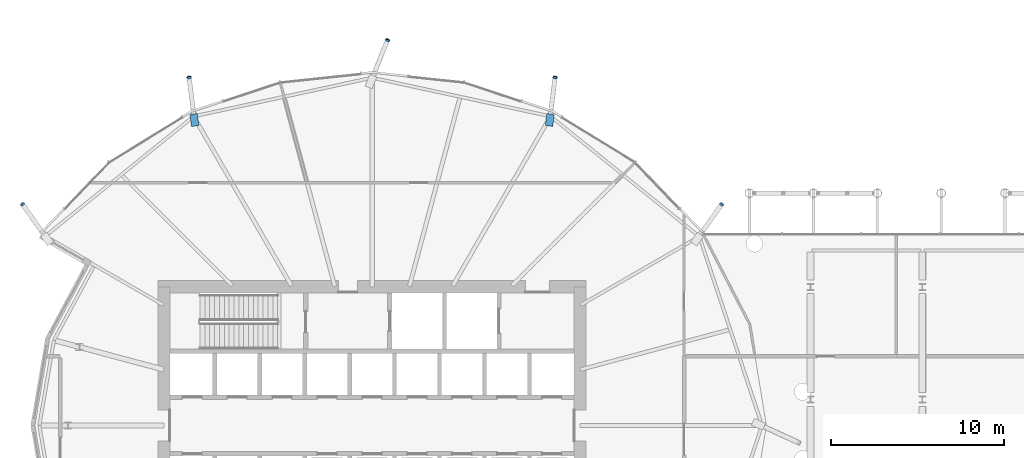
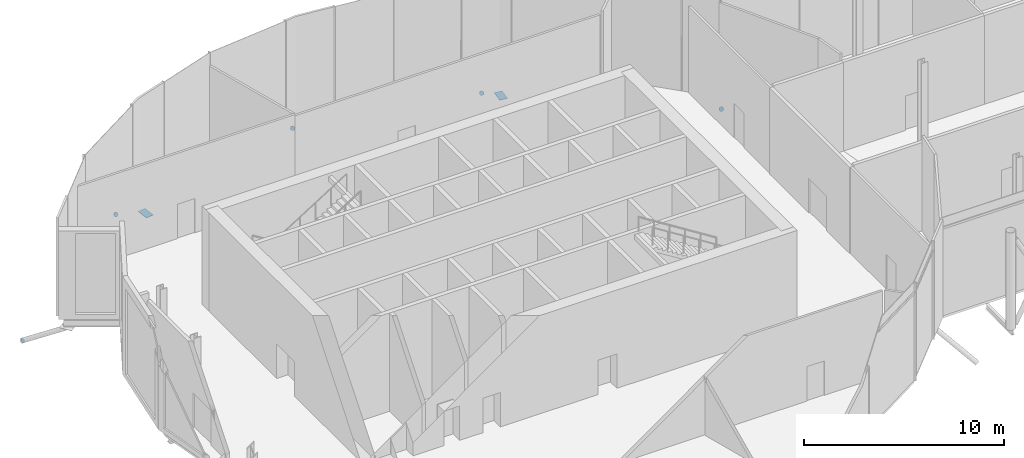
# One storey, part 29 of 38: 7 discrete accessories.
"""IFC4 building model written with IfcOpenShell, lengths in metres."""

import ifcopenshell
import ifcopenshell.guid

model = None  # the IFC model being written
_history = None  # IfcOwnerHistory: only IFC2X3 demands one
_inside = {}  # id of a spatial element -> (the spatial element, [elements in it])
_under = {}  # id of a project, library or spatial element -> (it, [spatial elements below it])
_declared = {}  # id of a project -> (the project, [libraries it declares])
_typed = {}  # id of a type object -> (the type object, [elements of that type])
_made_of = {}  # id of a material, layer set ... -> (it, [elements and type objects made of it])


def new_model(schema):
    """Start an empty IFC model of exactly this schema.

    Asked for "IFC4X3", IfcOpenShell would pick the latest addendum, in which some entities
    have other attributes; the version numbers below select the first issue.
    IFC2X3 requires an IfcOwnerHistory on every rooted entity: one is made here for all.
    """
    global model, _history
    if schema == "IFC4X3":
        model = ifcopenshell.file(schema_version=(4, 3, 0, 0))
    else:
        model = ifcopenshell.file(schema=schema)
    _inside.clear()
    _under.clear()
    _declared.clear()
    _typed.clear()
    _made_of.clear()
    _history = None
    if model.schema == "IFC2X3":
        org = make("IfcOrganization", Name="unknown")
        user = make(
            "IfcPersonAndOrganization",
            ThePerson=make("IfcPerson", FamilyName="unknown"),
            TheOrganization=org,
        )
        app = make(
            "IfcApplication",
            ApplicationDeveloper=org,
            Version="unknown",
            ApplicationFullName="unknown",
            ApplicationIdentifier="unknown",
        )
        _history = make(
            "IfcOwnerHistory",
            OwningUser=user,
            OwningApplication=app,
            ChangeAction="ADDED",
            CreationDate=0,
        )
    return model


def make(cls, **values):
    """One entity of the class cls with the attributes given. An attribute that is None is left unset."""
    return model.create_entity(
        cls, **{name: value for name, value in values.items() if value is not None}
    )


def rooted(cls, **values):
    """An entity with a GlobalId (a new one), such as an element, a storey or a relation."""
    return make(cls, GlobalId=ifcopenshell.guid.new(), OwnerHistory=_history, **values)


def si_unit(unit_type, name, prefix=None):
    """IfcSIUnit, for example si_unit("LENGTHUNIT", "METRE", prefix="MILLI")."""
    return make("IfcSIUnit", UnitType=unit_type, Prefix=prefix, Name=name)


def assignment(units):
    """IfcUnitAssignment: the units of a project."""
    return None if units is None else make("IfcUnitAssignment", Units=units)


def point(xyz):
    """IfcCartesianPoint."""
    return None if xyz is None else make("IfcCartesianPoint", Coordinates=xyz)


def direction(xyz):
    """IfcDirection."""
    return None if xyz is None else make("IfcDirection", DirectionRatios=xyz)


def frame(location, z_axis=None, x_axis=None):
    """IfcAxis2Placement3D, a coordinate frame: its origin and axes. An axis left out is left unset."""
    return make(
        "IfcAxis2Placement3D",
        Location=point(location),
        Axis=direction(z_axis),
        RefDirection=direction(x_axis),
    )


def frame_2d(location, x_axis=None):
    """IfcAxis2Placement2D, a coordinate frame in the plane: its origin and x axis."""
    return make(
        "IfcAxis2Placement2D", Location=point(location), RefDirection=direction(x_axis)
    )


def origin():
    """The frame at (0, 0, 0) with its axes left unset."""
    return frame((0.0, 0.0, 0.0))


def origin_2d():
    """The frame at (0, 0) in the plane with its x axis left unset."""
    return frame_2d((0.0, 0.0))


def place(relative_to, where):
    """IfcLocalPlacement: puts the frame where relative to a parent placement (None: the world)."""
    return make(
        "IfcLocalPlacement", PlacementRelTo=relative_to, RelativePlacement=where
    )


def context(
    kind, dimensions, precision=None, world=None, true_north=None, identifier=None
):
    """IfcGeometricRepresentationContext, for example the 3D "Model" context."""
    return make(
        "IfcGeometricRepresentationContext",
        ContextIdentifier=identifier,
        ContextType=kind,
        CoordinateSpaceDimension=dimensions,
        Precision=precision,
        WorldCoordinateSystem=world,
        TrueNorth=true_north,
    )


def subcontext(parent, identifier, kind, view, scale=None):
    """IfcGeometricRepresentationSubContext, for example "Body" below "Model"."""
    return make(
        "IfcGeometricRepresentationSubContext",
        ContextIdentifier=identifier,
        ContextType=kind,
        ParentContext=parent,
        TargetScale=scale,
        TargetView=view,
    )


def project(units=None, contexts=None):
    """IfcProject with its units and contexts."""
    return rooted(
        "IfcProject",
        Name="project",
        RepresentationContexts=contexts,
        UnitsInContext=assignment(units),
    )


def spatial(cls, under=None, at=None, **own):
    """A site, building, storey or space (cls), placed at a placement, below another one or the project."""
    s = rooted(cls, ObjectPlacement=at, **own)
    if under is not None:
        _under.setdefault(under.id(), (under, []))[1].append(s)
    return s


def polyline(points):
    """IfcPolyline through the points."""
    return make("IfcPolyline", Points=[point(p) for p in points])


def profile(cls, at=None, kind="AREA", **sizes):
    """A parametric profile (cls). Its sizes go by their IFC names, for example OverallWidth=200.0."""
    return make(cls, ProfileType=kind, Position=at, **sizes)


def rectangle(**sizes):
    """IfcRectangleProfileDef."""
    return profile("IfcRectangleProfileDef", **sizes)


def circle(**sizes):
    """IfcCircleProfileDef."""
    return profile("IfcCircleProfileDef", **sizes)


def outline(outer, holes=None, kind="AREA"):
    """IfcArbitraryClosedProfileDef: a profile drawn as a closed curve; with holes, ...WithVoids."""
    if holes is None:
        return make("IfcArbitraryClosedProfileDef", ProfileType=kind, OuterCurve=outer)
    return make(
        "IfcArbitraryProfileDefWithVoids",
        ProfileType=kind,
        OuterCurve=outer,
        InnerCurves=holes,
    )


def extrude(swept, where, along, depth):
    """IfcExtrudedAreaSolid: the profile swept, set in the frame where, extruded along a direction by depth."""
    return make(
        "IfcExtrudedAreaSolid",
        SweptArea=swept,
        Position=where,
        ExtrudedDirection=direction(along),
        Depth=depth,
    )


def shape(context_of_items, identifier, shape_type, items):
    """IfcShapeRepresentation: the items that make up one representation, for example the "Body"."""
    return make(
        "IfcShapeRepresentation",
        ContextOfItems=context_of_items,
        RepresentationIdentifier=identifier,
        RepresentationType=shape_type,
        Items=items,
    )


def material(Name=None, Category=None):
    """IfcMaterial."""
    return make("IfcMaterial", Name=Name, Category=Category)


def material_profile(
    of_material, cross_section, Name=None, Category=None, Priority=None
):
    """IfcMaterialProfile: a cross section and its material."""
    return make(
        "IfcMaterialProfile",
        Name=Name,
        Material=of_material,
        Profile=cross_section,
        Priority=Priority,
        Category=Category,
    )


def profile_set(profiles, Name=None, composite=None):
    """IfcMaterialProfileSet."""
    return make(
        "IfcMaterialProfileSet",
        Name=Name,
        MaterialProfiles=profiles,
        CompositeProfile=composite,
    )


def made_of(thing, what):
    """Note that an element or type object is made of a material, layer set ...; save() writes the relation."""
    if what is not None:
        _made_of.setdefault(what.id(), (what, []))[1].append(thing)
    return thing


def type_object(cls, material=None, **own):
    """A type object (cls), such as IfcWallType, which elements share."""
    return made_of(rooted(cls, **own), material)


def element(
    cls,
    number,
    at=None,
    inside=None,
    cuts=None,
    type_object=None,
    material=None,
    context=None,
    identifier="Body",
    shape_type=None,
    held_by="IfcProductDefinitionShape",
    body=None,
    shapes=None,
    **own,
):
    """One element of the class cls, such as IfcWall. Its Tag is "e" and its number.

    at: its placement. inside: the storey or other place that contains it. cuts: it is an
    opening in that element (IfcRelVoidsElement). A single representation is given by context,
    identifier, shape_type and body (its items); several are given by shapes. held_by: the class
    of the entity that holds the representations. save() writes the other relations.
    """
    e = rooted(cls, Tag="e%d" % number, ObjectPlacement=at, **own)
    if body is not None:
        shapes = [shape(context, identifier, shape_type, body)]
    if shapes is not None:
        e.Representation = make(held_by, Representations=shapes)
    if inside is not None:
        _inside.setdefault(inside.id(), (inside, []))[1].append(e)
    if cuts is not None:
        rooted(
            "IfcRelVoidsElement", RelatingBuildingElement=cuts, RelatedOpeningElement=e
        )
    if type_object is not None:
        _typed.setdefault(type_object.id(), (type_object, []))[1].append(e)
    return made_of(e, material)


def aggregate(whole, parts):
    """IfcRelAggregates: a whole, such as a stair, and the parts it consists of."""
    return rooted("IfcRelAggregates", RelatingObject=whole, RelatedObjects=parts)


def save(model, path):
    """Write the relations noted so far, then the file.

    IfcRelAggregates (storeys below a building ...), IfcRelContainedInSpatialStructure (elements
    in a storey), IfcRelDefinesByType, IfcRelAssociatesMaterial and IfcRelDeclares: one each for
    every whole, place, type object, material and project.
    """
    for whole, parts in _under.values():
        aggregate(whole, parts)
    for where, things in _inside.values():
        rooted(
            "IfcRelContainedInSpatialStructure",
            RelatedElements=things,
            RelatingStructure=where,
        )
    for kind, things in _typed.values():
        rooted("IfcRelDefinesByType", RelatedObjects=things, RelatingType=kind)
    for what, things in _made_of.values():
        rooted("IfcRelAssociatesMaterial", RelatedObjects=things, RelatingMaterial=what)
    for by, libraries in _declared.values():
        rooted("IfcRelDeclares", RelatingContext=by, RelatedDefinitions=libraries)
    model.write(path)


model = new_model("IFC4")

# Units and contexts
model_context = context("Model", 3, precision=1e-05, world=origin(), true_north=direction((0.0, 1.0)))
body_context = subcontext(model_context, "Body", "Model", "MODEL_VIEW")
ifc_project = project(units=[si_unit("LENGTHUNIT", "METRE"), si_unit("AREAUNIT", "SQUARE_METRE"), si_unit("VOLUMEUNIT", "CUBIC_METRE"), si_unit("PLANEANGLEUNIT", "RADIAN"), si_unit("MASSUNIT", "GRAM", prefix="KILO")], contexts=[model_context])

# Site, building, storey
site_placement = place(None, origin())
site = spatial("IfcSite", under=ifc_project, at=site_placement, CompositionType="ELEMENT")
building_placement = place(site_placement, origin())
building = spatial("IfcBuilding", under=site, at=building_placement, Name="Rimbun Link Towers", CompositionType="ELEMENT")
storey_placement = place(building_placement, frame((0.0, 0.0, 133.199951171875)))
storey = spatial("IfcBuildingStorey", under=building, at=storey_placement, Name="L32", CompositionType="ELEMENT", Elevation=133.199951171875)

# Discrete accessories
ifc_material_1 = material(Name="Steel S355J2H", Category="steel")
ifc_material_profile_1 = material_profile(ifc_material_1, circle(Radius=0.1240234375, at=origin_2d()), Name="PL D248")
ifc_profile_set_1 = profile_set([ifc_material_profile_1], Name="Steel S355J2H")
discrete_accessory_type_1 = type_object("IfcDiscreteAccessoryType", Name="Link foot sealing plate D248X20", PredefinedType="BRACKET", material=ifc_profile_set_1)
discrete_accessory_1_placement = place(storey_placement, frame((-11.588134765625, 12.74365234375, -2.1220703125), z_axis=(0.497967546371, 0.692296344954, -0.522258646194), x_axis=(-0.811804390952, 0.583929474193, 0.0)))
element("IfcDiscreteAccessory", 1, at=discrete_accessory_1_placement, inside=storey, type_object=discrete_accessory_type_1, Name="Link foot sealing plate T1 L32 02", PredefinedType="BRACKET", context=body_context, shape_type="SweptSolid", body=[
    extrude(circle(Radius=0.1240234375, at=origin_2d()), origin(), (0.0, 0.0, 1.0), 0.02001953125),
])
discrete_accessory_2_placement = place(storey_placement, frame((-21.19091796875, 20.073486328125, -2.2373046875), z_axis=(0.108457352844, 0.855608005772, -0.506134313274), x_axis=(-0.992061421937, 0.125754264753, 0.0)))
element("IfcDiscreteAccessory", 2, at=discrete_accessory_2_placement, inside=storey, type_object=discrete_accessory_type_1, Name="Link foot sealing plate T1 L32 04", PredefinedType="BRACKET", context=body_context, shape_type="SweptSolid", body=[
    extrude(circle(Radius=0.1240234375, at=origin_2d()), origin(), (0.0, 0.0, 1.0), 0.020263671875),
])
discrete_accessory_3_placement = place(storey_placement, frame((-30.860595703125, 22.2265625, -2.295166015625), z_axis=(0.321183527812, 0.815312032139, -0.481775291719), x_axis=(-0.930408392817, 0.366524518382, 0.0)))
element("IfcDiscreteAccessory", 3, at=discrete_accessory_3_placement, inside=storey, type_object=discrete_accessory_type_1, Name="Link foot sealing plate T1 L32 06", PredefinedType="BRACKET", context=body_context, shape_type="SweptSolid", body=[
    extrude(circle(Radius=0.1240234375, at=origin_2d()), origin(), (0.0, 0.0, 1.0), 0.019775390625),
])
discrete_accessory_4_placement = place(storey_placement, frame((-42.30908203125, 20.073486328125, -2.2373046875), z_axis=(-0.108457352844, 0.855608005772, -0.506134313274), x_axis=(-0.992061421937, -0.125754264753, 0.0)))
element("IfcDiscreteAccessory", 4, at=discrete_accessory_4_placement, inside=storey, type_object=discrete_accessory_type_1, Name="Link foot sealing plate T1 L32 08", PredefinedType="BRACKET", context=body_context, shape_type="SweptSolid", body=[
    extrude(circle(Radius=0.1240234375, at=origin_2d()), origin(), (0.0, 0.0, 1.0), 0.020263671875),
])
discrete_accessory_5_placement = place(storey_placement, frame((-51.911865234375, 12.74365234375, -2.1220703125), z_axis=(-0.497967546371, 0.692296344954, -0.522258646194), x_axis=(-0.811804390952, -0.583929474193, 0.0)))
element("IfcDiscreteAccessory", 5, at=discrete_accessory_5_placement, inside=storey, type_object=discrete_accessory_type_1, Name="Link foot sealing plate T1 L32 10", PredefinedType="BRACKET", context=body_context, shape_type="SweptSolid", body=[
    extrude(circle(Radius=0.1240234375, at=origin_2d()), origin(), (0.0, 0.0, 1.0), 0.02001953125),
])
ifc_material_2 = material(Name="Steel S355J2H", Category="steel")
ifc_material_profile_2 = material_profile(ifc_material_2, rectangle(XDim=0.43310546875, YDim=0.43310546875, at=origin_2d()), Name="PL 433x433")
ifc_profile_set_2 = profile_set([ifc_material_profile_2], Name="Steel S355J2H")
discrete_accessory_type_2 = type_object("IfcDiscreteAccessoryType", Name="Link head end plate 433X20", PredefinedType="BRACKET", material=ifc_profile_set_2)
discrete_accessory_6_placement = place(storey_placement, frame((0.0, 0.0, -0.802490234375)))
element("IfcDiscreteAccessory", 6, at=discrete_accessory_6_placement, inside=storey, type_object=discrete_accessory_type_2, Name="Link head end plate T1 L32 04", PredefinedType="BRACKET", context=body_context, shape_type="SweptSolid", body=[
    extrude(outline(polyline([(-21.326904296875, 17.250732421875), (-21.239501953125, 17.9482421875), (-21.669189453125, 18.002197265625), (-21.756591796875, 17.3046875), (-21.326904296875, 17.250732421875)])), origin(), (0.0, 0.0, 1.0), 0.02001953125),
])
discrete_accessory_7_placement = place(storey_placement, frame((0.0, 0.0, -0.802490234375)))
element("IfcDiscreteAccessory", 7, at=discrete_accessory_7_placement, inside=storey, type_object=discrete_accessory_type_2, Name="Link head end plate T1 L32 08", PredefinedType="BRACKET", context=body_context, shape_type="SweptSolid", body=[
    extrude(outline(polyline([(-41.743408203125, 17.3046875), (-41.830810546875, 18.002197265625), (-42.260498046875, 17.9482421875), (-42.173095703125, 17.250732421875), (-41.743408203125, 17.3046875)])), origin(), (0.0, 0.0, 1.0), 0.02001953125),
])

save(model, "model.ifc")
